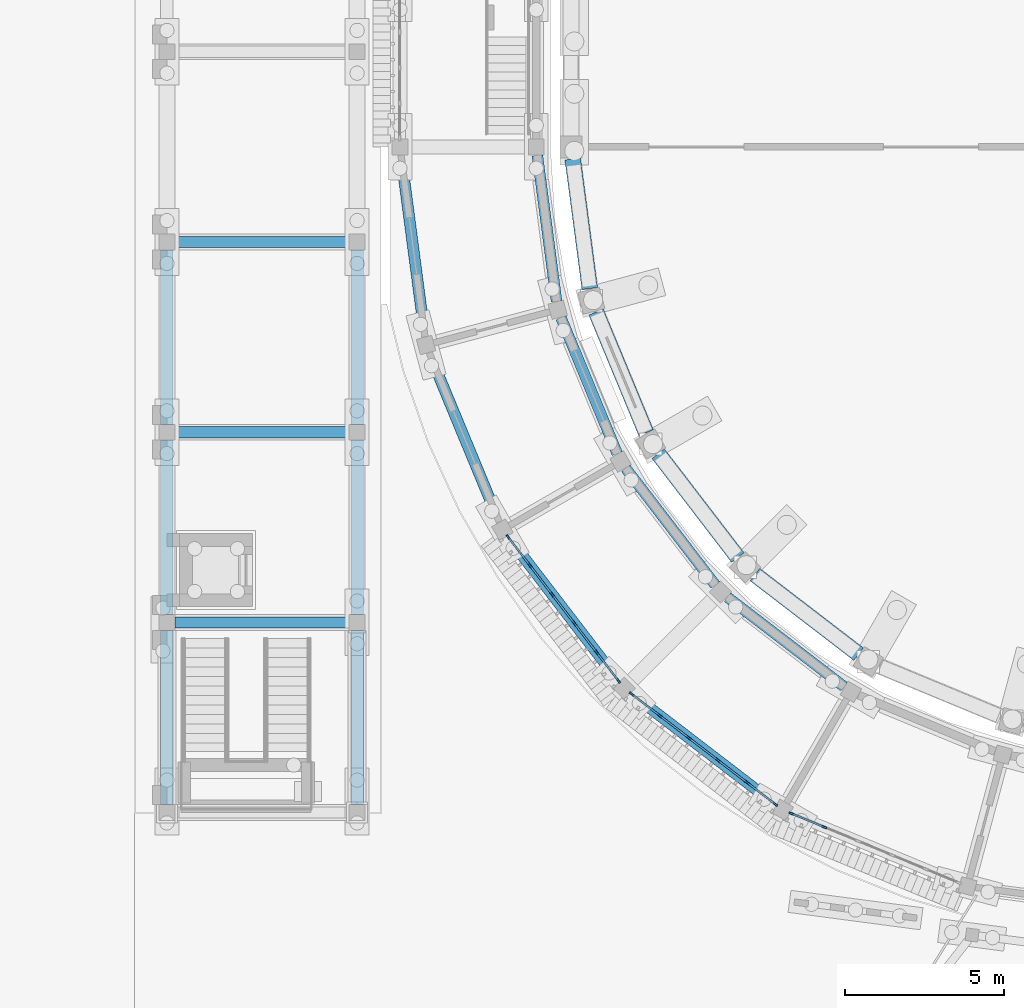
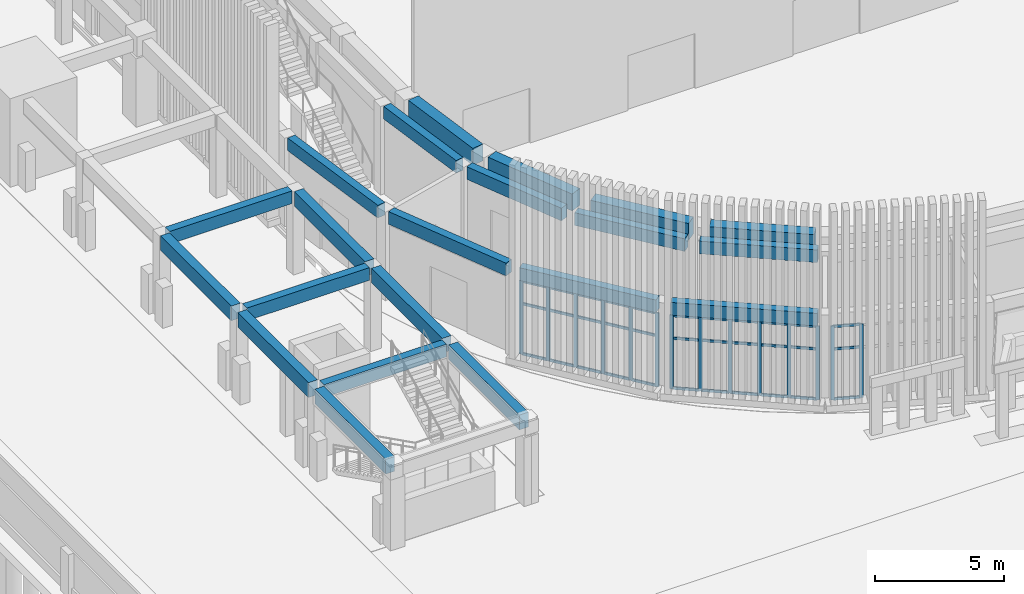
# One storey, part 15 of 112: 47 members, 21 beams, 3 elements without a shape of their own.
"""IFC4 building model written with IfcOpenShell, lengths in metres."""

from ifc_helpers import new_model, si_unit, direction, frame, origin, origin_2d, place, context, subcontext, project, spatial, rectangle, extrude, material, layer, layer_set, material_profile, profile_set, type_object, element, aggregate, save


model = new_model("IFC4")

# Units and contexts
model_context = context("Model", 3, precision=1e-05, world=origin(), true_north=direction((0.0, 1.0)))
body_context = subcontext(model_context, "Body", "Model", "MODEL_VIEW")
ifc_project = project(units=[si_unit("LENGTHUNIT", "METRE"), si_unit("AREAUNIT", "SQUARE_METRE"), si_unit("VOLUMEUNIT", "CUBIC_METRE"), si_unit("PLANEANGLEUNIT", "RADIAN"), si_unit("MASSUNIT", "GRAM", prefix="KILO")], contexts=[model_context])

# Site, building, storey
site_placement = place(None, origin())
site = spatial("IfcSite", under=ifc_project, at=site_placement, CompositionType="ELEMENT")
building_placement = place(site_placement, origin())
building = spatial("IfcBuilding", under=site, at=building_placement, Name="Wasatch Bagh Community Centre", CompositionType="ELEMENT")
storey_placement = place(building_placement, origin())
storey = spatial("IfcBuildingStorey", under=building, at=storey_placement, Name="L00", CompositionType="ELEMENT", Elevation=0.0)

# Beams
ifc_material_1 = material(Name="Concrete C35", Category="concrete")
ifc_material_profile_1 = material_profile(ifc_material_1, rectangle(XDim=0.39990234375, YDim=0.699951171875, at=origin_2d()), Name="RC 400x700")
ifc_profile_set_1 = profile_set([ifc_material_profile_1], Name="Concrete C35")
beam_type_1 = type_object("IfcBeamType", Name="CT-B1", PredefinedType="BEAM", material=ifc_profile_set_1)
for number, where, z_axis, x_axis, name in (
    (1, (4.5, 14.25, 3.60009765625), (0.0, 1.0, 0.0), (-1.0, 0.0, 0.0), "CT.beam.L00.001"),
    (2, (4.5, 20.25, 3.60009765625), (0.0, 1.0, 0.0), (-1.0, 0.0, 0.0), "CT.beam.L00.002"),
    (3, (4.5, 26.25, 3.60009765625), (0.0, 1.0, 0.0), (-1.0, 0.0, 0.0), "CT.beam.L00.003"),
    (4, (10.5, 14.25, 3.60009765625), (0.0, 1.0, 0.0), (-1.0, 0.0, 0.0), "CT.beam.L00.013"),
    (5, (10.5, 20.25, 3.60009765625), (0.0, 1.0, 0.0), (-1.0, 0.0, 0.0), "CT.beam.L00.014"),
    (6, (10.5, 26.25, 3.60009765625), (0.0, 1.0, 0.0), (-1.0, 0.0, 0.0), "CT.beam.L00.015"),
):
    element("IfcBeam", number, at=place(storey_placement, frame(where, z_axis=z_axis, x_axis=x_axis)), inside=storey, type_object=beam_type_1, Name=name, PredefinedType="BEAM", context=body_context, shape_type="SweptSolid", body=[
        extrude(rectangle(XDim=0.39990234375, YDim=0.699951171875, at=origin_2d()), origin(), (0.0, 0.0, 1.0), 5.5),
    ])
ifc_material_profile_2 = material_profile(ifc_material_1, rectangle(XDim=0.35009765625, YDim=0.60009765625, at=origin_2d()), Name="RC 350x600")
ifc_profile_set_2 = profile_set([ifc_material_profile_2], Name="Concrete C35")
beam_type_2 = type_object("IfcBeamType", Name="CT-B2", PredefinedType="BEAM", material=ifc_profile_set_2)
for number, where, z_axis, x_axis, name in (
    (7, (4.75, 20.0, 3.64990234375), (1.0, 0.0, 0.0), (0.0, 1.0, 0.0), "CT.beam.L00.X027"),
    (8, (4.75, 26.0, 3.64990234375), (1.0, 0.0, 0.0), (0.0, 1.0, 0.0), "CT.beam.L00.X028"),
    (9, (4.75, 32.0, 3.64990234375), (1.0, 0.0, 0.0), (0.0, 1.0, 0.0), "CT.beam.L00.X029"),
):
    element("IfcBeam", number, at=place(storey_placement, frame(where, z_axis=z_axis, x_axis=x_axis)), inside=storey, type_object=beam_type_2, Name=name, PredefinedType="BEAM", context=body_context, shape_type="SweptSolid", body=[
        extrude(rectangle(XDim=0.35009765625, YDim=0.60009765625, at=origin_2d()), origin(), (0.0, 0.0, 1.0), 5.5),
    ])

# Curtain wall, members
ifc_material_2 = material(Name="Aluminium curtain wall frame with low-iron insulated glass", Category="aluminium")
ifc_layer = layer(ifc_material_2, 0.14990234375)
ifc_layer_set = layer_set([ifc_layer], Name="Aluminium curtain wall frame with low-iron insulated glass")
curtain_wall_type = type_object("IfcCurtainWallType", Name="Drum curtain wall DR-CW1", PredefinedType="NOTDEFINED", material=ifc_layer_set)
curtain_wall_1_placement = place(storey_placement, origin())
curtain_wall_1 = element("IfcCurtainWall", 10, at=curtain_wall_1_placement, inside=storey, type_object=curtain_wall_type, Name="Curtain wall DR-CW1 3", PredefinedType="NOTDEFINED")
ifc_material_3 = material(Name="Aluminium curtain wall frame", Category="aluminium")
ifc_material_profile_3 = material_profile(ifc_material_3, rectangle(XDim=0.06005859375, YDim=0.159912109375, at=origin_2d()), Name="Drum mullion DR-CW1")
ifc_profile_set_3 = profile_set([ifc_material_profile_3], Name="Aluminium curtain wall frame")
member_type_1 = type_object("IfcMemberType", Name="Drum mullion DR-CW1", PredefinedType="MULLION", material=ifc_profile_set_3)
member_1_placement = place(storey_placement, frame((15.263671875, 22.69287109375, 0.0), z_axis=(0.0, 0.0, 1.0), x_axis=(0.793353340196, 0.608761429133, 0.0)))
member_1 = element("IfcMember", 11, at=member_1_placement, type_object=member_type_1, Name="DR-CW1 mullion 1", PredefinedType="MULLION", context=body_context, shape_type="SweptSolid", body=[
    extrude(rectangle(XDim=0.06005859375, YDim=0.159912109375, at=origin_2d()), origin(), (0.0, 0.0, 1.0), 3.5),
])
member_2_placement = place(storey_placement, frame((15.948974609375, 21.7998046875, 0.0), z_axis=(0.0, 0.0, 1.0), x_axis=(0.793353340196, 0.608761429133, 0.0)))
member_2 = element("IfcMember", 12, at=member_2_placement, type_object=member_type_1, Name="DR-CW1 mullion 2", PredefinedType="MULLION", context=body_context, shape_type="SweptSolid", body=[
    extrude(rectangle(XDim=0.06005859375, YDim=0.159912109375, at=origin_2d()), origin(), (0.0, 0.0, 1.0), 3.5),
])
member_3_placement = place(storey_placement, frame((16.652587890625, 20.8828125, 0.0), z_axis=(0.0, 0.0, 1.0), x_axis=(0.793353340196, 0.608761429133, 0.0)))
member_3 = element("IfcMember", 13, at=member_3_placement, type_object=member_type_1, Name="DR-CW1 mullion 3", PredefinedType="MULLION", context=body_context, shape_type="SweptSolid", body=[
    extrude(rectangle(XDim=0.06005859375, YDim=0.159912109375, at=origin_2d()), origin(), (0.0, 0.0, 1.0), 3.5),
])
member_4_placement = place(storey_placement, frame((17.356201171875, 19.965576171875, 0.0), z_axis=(0.0, 0.0, 1.0), x_axis=(0.793353340196, 0.608761429133, 0.0)))
member_4 = element("IfcMember", 14, at=member_4_placement, type_object=member_type_1, Name="DR-CW1 mullion 4", PredefinedType="MULLION", context=body_context, shape_type="SweptSolid", body=[
    extrude(rectangle(XDim=0.06005859375, YDim=0.159912109375, at=origin_2d()), origin(), (0.0, 0.0, 1.0), 3.5),
])
member_5_placement = place(storey_placement, frame((18.059814453125, 19.048583984375, 0.0), z_axis=(0.0, 0.0, 1.0), x_axis=(0.793353340196, 0.608761429133, 0.0)))
member_5 = element("IfcMember", 15, at=member_5_placement, type_object=member_type_1, Name="DR-CW1 mullion 5", PredefinedType="MULLION", context=body_context, shape_type="SweptSolid", body=[
    extrude(rectangle(XDim=0.06005859375, YDim=0.159912109375, at=origin_2d()), origin(), (0.0, 0.0, 1.0), 3.5),
])
member_6_placement = place(storey_placement, frame((18.745361328125, 18.155517578125, 0.0), z_axis=(0.0, 0.0, 1.0), x_axis=(0.793353340196, 0.608761429133, 0.0)))
member_6 = element("IfcMember", 16, at=member_6_placement, type_object=member_type_1, Name="DR-CW1 mullion 6", PredefinedType="MULLION", context=body_context, shape_type="SweptSolid", body=[
    extrude(rectangle(XDim=0.06005859375, YDim=0.159912109375, at=origin_2d()), origin(), (0.0, 0.0, 1.0), 3.5),
])

curtain_wall_2_placement = place(storey_placement, origin())
curtain_wall_2 = element("IfcCurtainWall", 17, at=curtain_wall_2_placement, inside=storey, type_object=curtain_wall_type, Name="Curtain wall DR-CW1 4", PredefinedType="NOTDEFINED")
member_7_placement = place(storey_placement, frame((19.155517578125, 17.745361328125, 0.0), z_axis=(0.0, 0.0, 1.0), x_axis=(0.608761429133, 0.793353340196, 0.0)))
member_7 = element("IfcMember", 18, at=member_7_placement, type_object=member_type_1, Name="DR-CW1 mullion 1", PredefinedType="MULLION", context=body_context, shape_type="SweptSolid", body=[
    extrude(rectangle(XDim=0.06005859375, YDim=0.159912109375, at=origin_2d()), origin(), (0.0, 0.0, 1.0), 3.5),
])
member_8_placement = place(storey_placement, frame((20.048583984375, 17.059814453125, 0.0), z_axis=(0.0, 0.0, 1.0), x_axis=(0.608761429133, 0.793353340196, 0.0)))
member_8 = element("IfcMember", 19, at=member_8_placement, type_object=member_type_1, Name="DR-CW1 mullion 2", PredefinedType="MULLION", context=body_context, shape_type="SweptSolid", body=[
    extrude(rectangle(XDim=0.06005859375, YDim=0.159912109375, at=origin_2d()), origin(), (0.0, 0.0, 1.0), 3.5),
])
member_9_placement = place(storey_placement, frame((20.965576171875, 16.356201171875, 0.0), z_axis=(0.0, 0.0, 1.0), x_axis=(0.608761429133, 0.793353340196, 0.0)))
member_9 = element("IfcMember", 20, at=member_9_placement, type_object=member_type_1, Name="DR-CW1 mullion 3", PredefinedType="MULLION", context=body_context, shape_type="SweptSolid", body=[
    extrude(rectangle(XDim=0.06005859375, YDim=0.159912109375, at=origin_2d()), origin(), (0.0, 0.0, 1.0), 3.5),
])
member_10_placement = place(storey_placement, frame((21.8828125, 15.652587890625, 0.0), z_axis=(0.0, 0.0, 1.0), x_axis=(0.608761429133, 0.793353340196, 0.0)))
member_10 = element("IfcMember", 21, at=member_10_placement, type_object=member_type_1, Name="DR-CW1 mullion 4", PredefinedType="MULLION", context=body_context, shape_type="SweptSolid", body=[
    extrude(rectangle(XDim=0.06005859375, YDim=0.159912109375, at=origin_2d()), origin(), (0.0, 0.0, 1.0), 3.5),
])
member_11_placement = place(storey_placement, frame((22.7998046875, 14.948974609375, 0.0), z_axis=(0.0, 0.0, 1.0), x_axis=(0.608761429133, 0.793353340196, 0.0)))
member_11 = element("IfcMember", 22, at=member_11_placement, type_object=member_type_1, Name="DR-CW1 mullion 5", PredefinedType="MULLION", context=body_context, shape_type="SweptSolid", body=[
    extrude(rectangle(XDim=0.06005859375, YDim=0.159912109375, at=origin_2d()), origin(), (0.0, 0.0, 1.0), 3.5),
])
member_12_placement = place(storey_placement, frame((23.69287109375, 14.263671875, 0.0), z_axis=(0.0, 0.0, 1.0), x_axis=(0.608761429133, 0.793353340196, 0.0)))
member_12 = element("IfcMember", 23, at=member_12_placement, type_object=member_type_1, Name="DR-CW1 mullion 6", PredefinedType="MULLION", context=body_context, shape_type="SweptSolid", body=[
    extrude(rectangle(XDim=0.06005859375, YDim=0.159912109375, at=origin_2d()), origin(), (0.0, 0.0, 1.0), 3.5),
])

curtain_wall_3_placement = place(storey_placement, origin())
curtain_wall_3 = element("IfcCurtainWall", 24, at=curtain_wall_3_placement, inside=storey, type_object=curtain_wall_type, Name="Curtain wall DR-CW1 5", PredefinedType="NOTDEFINED")
member_13_placement = place(storey_placement, frame((24.1953125, 13.9736328125, 0.0), z_axis=(0.0, 0.0, 1.0), x_axis=(0.38268343251, 0.923879532451, 0.0)))
member_13 = element("IfcMember", 25, at=member_13_placement, type_object=member_type_1, Name="DR-CW1 mullion 1", PredefinedType="MULLION", context=body_context, shape_type="SweptSolid", body=[
    extrude(rectangle(XDim=0.06005859375, YDim=0.159912109375, at=origin_2d()), origin(), (0.0, 0.0, 1.0), 3.5),
])
member_14_placement = place(storey_placement, frame((25.2353515625, 13.542724609375, 0.0), z_axis=(0.0, 0.0, 1.0), x_axis=(0.38268343251, 0.923879532451, 0.0)))
member_14 = element("IfcMember", 26, at=member_14_placement, type_object=member_type_1, Name="DR-CW1 mullion 2", PredefinedType="MULLION", context=body_context, shape_type="SweptSolid", body=[
    extrude(rectangle(XDim=0.06005859375, YDim=0.159912109375, at=origin_2d()), origin(), (0.0, 0.0, 1.0), 3.5),
])

# Beams
ifc_material_profile_4 = material_profile(ifc_material_1, rectangle(XDim=0.35009765625, YDim=0.60009765625, at=origin_2d()), Name="RC 350x600")
ifc_profile_set_4 = profile_set([ifc_material_profile_4], Name="Concrete C35")
beam_type_3 = type_object("IfcBeamType", Name="Drum ring beam RC 350x600", PredefinedType="BEAM", material=ifc_profile_set_4)
beam_1_placement = place(storey_placement, frame((16.18603515625, 34.7265625, 3.89990234375), z_axis=(0.130495429401, -0.99144891089, 0.0), x_axis=(0.99144891089, 0.130495429401, 0.0)))
element("IfcBeam", 27, at=beam_1_placement, inside=storey, type_object=beam_type_3, Name="Ring beam 4.2 DI-W1-DI-S1", PredefinedType="BEAM", context=body_context, shape_type="SweptSolid", body=[
    extrude(rectangle(XDim=0.35009765625, YDim=0.60009765625, at=origin_2d()), origin(), (0.0, 0.0, 1.0), 4.63037109375),
])
beam_2_placement = place(storey_placement, frame((16.931884765625, 29.607666015625, 3.89990234375), z_axis=(0.382671540178, -0.923884458327, 0.0), x_axis=(0.923884458327, 0.382671540178, 0.0)))
element("IfcBeam", 28, at=beam_2_placement, inside=storey, type_object=beam_type_3, Name="Ring beam 4.2 DI-S1-DI-S2", PredefinedType="BEAM", context=body_context, shape_type="SweptSolid", body=[
    extrude(rectangle(XDim=0.35009765625, YDim=0.60009765625, at=origin_2d()), origin(), (0.0, 0.0, 1.0), 4.630615234375),
])
for number, where, z_axis, x_axis, name in (
    (29, (18.977294921875, 24.856201171875, 3.89990234375), (0.608762451519, -0.793352555691, 0.0), (0.793352555691, 0.608762451519, 0.0), "Ring beam 4.2 DI-S2-DI-S3"),
    (30, (22.1826171875, 20.796142578125, 3.89990234375), (0.793352555691, -0.608762451519, 0.0), (0.608762451519, 0.793352555691, 0.0), "Ring beam 4.2 DI-S3-DI-S4"),
):
    element("IfcBeam", number, at=place(storey_placement, frame(where, z_axis=z_axis, x_axis=x_axis)), inside=storey, type_object=beam_type_3, Name=name, PredefinedType="BEAM", context=body_context, shape_type="SweptSolid", body=[
        extrude(rectangle(XDim=0.35009765625, YDim=0.60009765625, at=origin_2d()), origin(), (0.0, 0.0, 1.0), 4.63037109375),
    ])
beam_3_placement = place(storey_placement, frame((11.885986328125, 34.7265625, 3.89990234375), z_axis=(0.130540139759, -0.991443025046, 0.0), x_axis=(0.991443025046, 0.130540139759, 0.0)))
element("IfcBeam", 31, at=beam_3_placement, inside=storey, type_object=beam_type_3, Name="Ring beam 4.2 DO-W1-DO-S1", PredefinedType="BEAM", context=body_context, shape_type="SweptSolid", body=[
    extrude(rectangle(XDim=0.35009765625, YDim=0.60009765625, at=origin_2d()), origin(), (0.0, 0.0, 1.0), 5.7529296875),
])
beam_4_placement = place(storey_placement, frame((12.7783203125, 28.494873046875, 3.89990234375), z_axis=(0.38268910224, -0.923877183952, 0.0), x_axis=(0.923877183952, 0.38268910224, 0.0)))
element("IfcBeam", 32, at=beam_4_placement, inside=storey, type_object=beam_type_3, Name="Ring beam 4.2 DO-S1-DO-S2", PredefinedType="BEAM", context=body_context, shape_type="SweptSolid", body=[
    extrude(rectangle(XDim=0.35009765625, YDim=0.60009765625, at=origin_2d()), origin(), (0.0, 0.0, 1.0), 5.753173828125),
])
for number, where, z_axis, x_axis, name in (
    (33, (15.25341796875, 22.706298828125, 3.89990234375), (0.608756673514, -0.793356989288, 0.0), (0.793356989288, 0.608756673514, 0.0), "Ring beam 4.2 DO-S2-DO-S3"),
    (34, (19.14208984375, 17.755615234375, 3.89990234375), (0.793356989288, -0.608756673514, 0.0), (0.608756673514, 0.793356989288, 0.0), "Ring beam 4.2 DO-S3-DO-S4"),
):
    element("IfcBeam", number, at=place(storey_placement, frame(where, z_axis=z_axis, x_axis=x_axis)), inside=storey, type_object=beam_type_3, Name=name, PredefinedType="BEAM", context=body_context, shape_type="SweptSolid", body=[
        extrude(rectangle(XDim=0.35009765625, YDim=0.60009765625, at=origin_2d()), origin(), (0.0, 0.0, 1.0), 5.7529296875),
    ])

# Member
ifc_material_profile_5 = material_profile(ifc_material_3, rectangle(XDim=0.06005859375, YDim=0.1201171875, at=origin_2d()), Name="Drum transom DR-CW1")
ifc_profile_set_5 = profile_set([ifc_material_profile_5], Name="Aluminium curtain wall frame")
member_type_2 = type_object("IfcMemberType", Name="Drum transom DR-CW1", PredefinedType="USERDEFINED", material=ifc_profile_set_5)
member_15_placement = place(storey_placement, frame((15.28173828125, 22.669189453125, 0.030029296875), z_axis=(0.608758447006, -0.793355628453, 0.0), x_axis=(0.793355628453, 0.608758447006, 0.0)))
member_15 = element("IfcMember", 35, at=member_15_placement, type_object=member_type_2, Name="DR-CW1 transom 1.1", ObjectType="TRANSOM", PredefinedType="USERDEFINED", context=body_context, shape_type="SweptSolid", body=[
    extrude(rectangle(XDim=0.06005859375, YDim=0.1201171875, at=origin_2d()), origin(), (0.0, 0.0, 1.0), 1.06591796875),
])

member_16_placement = place(storey_placement, frame((15.28173828125, 22.669189453125, 2.39990234375), z_axis=(0.608758447006, -0.793355628453, 0.0), x_axis=(0.793355628453, 0.608758447006, 0.0)))
member_16 = element("IfcMember", 36, at=member_16_placement, type_object=member_type_2, Name="DR-CW1 transom 1.2", ObjectType="TRANSOM", PredefinedType="USERDEFINED", context=body_context, shape_type="SweptSolid", body=[
    extrude(rectangle(XDim=0.06005859375, YDim=0.1201171875, at=origin_2d()), origin(), (0.0, 0.0, 1.0), 1.06591796875),
])

member_17_placement = place(storey_placement, frame((15.28173828125, 22.669189453125, 3.469970703125), z_axis=(0.608758447006, -0.793355628453, 0.0), x_axis=(0.793355628453, 0.608758447006, 0.0)))
member_17 = element("IfcMember", 37, at=member_17_placement, type_object=member_type_2, Name="DR-CW1 transom 1.3", ObjectType="TRANSOM", PredefinedType="USERDEFINED", context=body_context, shape_type="SweptSolid", body=[
    extrude(rectangle(XDim=0.06005859375, YDim=0.1201171875, at=origin_2d()), origin(), (0.0, 0.0, 1.0), 1.06591796875),
])

member_18_placement = place(storey_placement, frame((15.96728515625, 21.77587890625, 0.030029296875), z_axis=(0.608698124672, -0.793401911405, 0.0), x_axis=(0.793401911405, 0.608698124672, 0.0)))
member_18 = element("IfcMember", 38, at=member_18_placement, type_object=member_type_2, Name="DR-CW1 transom 2.1", ObjectType="TRANSOM", PredefinedType="USERDEFINED", context=body_context, shape_type="SweptSolid", body=[
    extrude(rectangle(XDim=0.06005859375, YDim=0.1201171875, at=origin_2d()), origin(), (0.0, 0.0, 1.0), 1.095703125),
])

member_19_placement = place(storey_placement, frame((15.96728515625, 21.77587890625, 2.39990234375), z_axis=(0.608698124672, -0.793401911405, 0.0), x_axis=(0.793401911405, 0.608698124672, 0.0)))
member_19 = element("IfcMember", 39, at=member_19_placement, type_object=member_type_2, Name="DR-CW1 transom 2.2", ObjectType="TRANSOM", PredefinedType="USERDEFINED", context=body_context, shape_type="SweptSolid", body=[
    extrude(rectangle(XDim=0.06005859375, YDim=0.1201171875, at=origin_2d()), origin(), (0.0, 0.0, 1.0), 1.095703125),
])

member_20_placement = place(storey_placement, frame((15.96728515625, 21.77587890625, 3.469970703125), z_axis=(0.608698124672, -0.793401911405, 0.0), x_axis=(0.793401911405, 0.608698124672, 0.0)))
member_20 = element("IfcMember", 40, at=member_20_placement, type_object=member_type_2, Name="DR-CW1 transom 2.3", ObjectType="TRANSOM", PredefinedType="USERDEFINED", context=body_context, shape_type="SweptSolid", body=[
    extrude(rectangle(XDim=0.06005859375, YDim=0.1201171875, at=origin_2d()), origin(), (0.0, 0.0, 1.0), 1.095703125),
])

member_21_placement = place(storey_placement, frame((16.6708984375, 20.85888671875, 0.030029296875), z_axis=(0.608698124672, -0.793401911405, 0.0), x_axis=(0.793401911405, 0.608698124672, 0.0)))
member_21 = element("IfcMember", 41, at=member_21_placement, type_object=member_type_2, Name="DR-CW1 transom 3.1", ObjectType="TRANSOM", PredefinedType="USERDEFINED", context=body_context, shape_type="SweptSolid", body=[
    extrude(rectangle(XDim=0.06005859375, YDim=0.1201171875, at=origin_2d()), origin(), (0.0, 0.0, 1.0), 1.095703125),
])

member_22_placement = place(storey_placement, frame((16.6708984375, 20.85888671875, 2.39990234375), z_axis=(0.608698124672, -0.793401911405, 0.0), x_axis=(0.793401911405, 0.608698124672, 0.0)))
member_22 = element("IfcMember", 42, at=member_22_placement, type_object=member_type_2, Name="DR-CW1 transom 3.2", ObjectType="TRANSOM", PredefinedType="USERDEFINED", context=body_context, shape_type="SweptSolid", body=[
    extrude(rectangle(XDim=0.06005859375, YDim=0.1201171875, at=origin_2d()), origin(), (0.0, 0.0, 1.0), 1.095703125),
])

member_23_placement = place(storey_placement, frame((16.6708984375, 20.85888671875, 3.469970703125), z_axis=(0.608698124672, -0.793401911405, 0.0), x_axis=(0.793401911405, 0.608698124672, 0.0)))
member_23 = element("IfcMember", 43, at=member_23_placement, type_object=member_type_2, Name="DR-CW1 transom 3.3", ObjectType="TRANSOM", PredefinedType="USERDEFINED", context=body_context, shape_type="SweptSolid", body=[
    extrude(rectangle(XDim=0.06005859375, YDim=0.1201171875, at=origin_2d()), origin(), (0.0, 0.0, 1.0), 1.095703125),
])

member_24_placement = place(storey_placement, frame((17.37451171875, 19.94189453125, 0.030029296875), z_axis=(0.608838347721, -0.793294312563, 0.0), x_axis=(0.793294312563, 0.608838347721, 0.0)))
member_24 = element("IfcMember", 44, at=member_24_placement, type_object=member_type_2, Name="DR-CW1 transom 4.1", ObjectType="TRANSOM", PredefinedType="USERDEFINED", context=body_context, shape_type="SweptSolid", body=[
    extrude(rectangle(XDim=0.06005859375, YDim=0.1201171875, at=origin_2d()), origin(), (0.0, 0.0, 1.0), 1.095947265625),
])

member_25_placement = place(storey_placement, frame((17.37451171875, 19.94189453125, 2.39990234375), z_axis=(0.608838347721, -0.793294312563, 0.0), x_axis=(0.793294312563, 0.608838347721, 0.0)))
member_25 = element("IfcMember", 45, at=member_25_placement, type_object=member_type_2, Name="DR-CW1 transom 4.2", ObjectType="TRANSOM", PredefinedType="USERDEFINED", context=body_context, shape_type="SweptSolid", body=[
    extrude(rectangle(XDim=0.06005859375, YDim=0.1201171875, at=origin_2d()), origin(), (0.0, 0.0, 1.0), 1.095947265625),
])

member_26_placement = place(storey_placement, frame((17.37451171875, 19.94189453125, 3.469970703125), z_axis=(0.608838347721, -0.793294312563, 0.0), x_axis=(0.793294312563, 0.608838347721, 0.0)))
member_26 = element("IfcMember", 46, at=member_26_placement, type_object=member_type_2, Name="DR-CW1 transom 4.3", ObjectType="TRANSOM", PredefinedType="USERDEFINED", context=body_context, shape_type="SweptSolid", body=[
    extrude(rectangle(XDim=0.06005859375, YDim=0.1201171875, at=origin_2d()), origin(), (0.0, 0.0, 1.0), 1.095947265625),
])

member_27_placement = place(storey_placement, frame((18.078125, 19.02490234375, 0.030029296875), z_axis=(0.608758447006, -0.793355628453, 0.0), x_axis=(0.793355628453, 0.608758447006, 0.0)))
member_27 = element("IfcMember", 47, at=member_27_placement, type_object=member_type_2, Name="DR-CW1 transom 5.1", ObjectType="TRANSOM", PredefinedType="USERDEFINED", context=body_context, shape_type="SweptSolid", body=[
    extrude(rectangle(XDim=0.06005859375, YDim=0.1201171875, at=origin_2d()), origin(), (0.0, 0.0, 1.0), 1.06591796875),
])

member_28_placement = place(storey_placement, frame((18.078125, 19.02490234375, 2.39990234375), z_axis=(0.608758447006, -0.793355628453, 0.0), x_axis=(0.793355628453, 0.608758447006, 0.0)))
member_28 = element("IfcMember", 48, at=member_28_placement, type_object=member_type_2, Name="DR-CW1 transom 5.2", ObjectType="TRANSOM", PredefinedType="USERDEFINED", context=body_context, shape_type="SweptSolid", body=[
    extrude(rectangle(XDim=0.06005859375, YDim=0.1201171875, at=origin_2d()), origin(), (0.0, 0.0, 1.0), 1.06591796875),
])

member_29_placement = place(storey_placement, frame((18.078125, 19.02490234375, 3.469970703125), z_axis=(0.608758447006, -0.793355628453, 0.0), x_axis=(0.793355628453, 0.608758447006, 0.0)))
member_29 = element("IfcMember", 49, at=member_29_placement, type_object=member_type_2, Name="DR-CW1 transom 5.3", ObjectType="TRANSOM", PredefinedType="USERDEFINED", context=body_context, shape_type="SweptSolid", body=[
    extrude(rectangle(XDim=0.06005859375, YDim=0.1201171875, at=origin_2d()), origin(), (0.0, 0.0, 1.0), 1.06591796875),
])

aggregate(curtain_wall_1, [member_1, member_2, member_3, member_4, member_5, member_6, member_15, member_16, member_17, member_18, member_19, member_20, member_21, member_22, member_23, member_24, member_25, member_26, member_27, member_28, member_29])

member_30_placement = place(storey_placement, frame((19.17919921875, 17.72705078125, 0.030029296875), z_axis=(0.793355628453, -0.608758447006, 0.0), x_axis=(0.608758447006, 0.793355628453, 0.0)))
member_30 = element("IfcMember", 50, at=member_30_placement, type_object=member_type_2, Name="DR-CW1 transom 1.1", ObjectType="TRANSOM", PredefinedType="USERDEFINED", context=body_context, shape_type="SweptSolid", body=[
    extrude(rectangle(XDim=0.06005859375, YDim=0.1201171875, at=origin_2d()), origin(), (0.0, 0.0, 1.0), 1.06591796875),
])

member_31_placement = place(storey_placement, frame((19.17919921875, 17.72705078125, 2.39990234375), z_axis=(0.793355628453, -0.608758447006, 0.0), x_axis=(0.608758447006, 0.793355628453, 0.0)))
member_31 = element("IfcMember", 51, at=member_31_placement, type_object=member_type_2, Name="DR-CW1 transom 1.2", ObjectType="TRANSOM", PredefinedType="USERDEFINED", context=body_context, shape_type="SweptSolid", body=[
    extrude(rectangle(XDim=0.06005859375, YDim=0.1201171875, at=origin_2d()), origin(), (0.0, 0.0, 1.0), 1.06591796875),
])

member_32_placement = place(storey_placement, frame((19.17919921875, 17.72705078125, 3.469970703125), z_axis=(0.793355628453, -0.608758447006, 0.0), x_axis=(0.608758447006, 0.793355628453, 0.0)))
member_32 = element("IfcMember", 52, at=member_32_placement, type_object=member_type_2, Name="DR-CW1 transom 1.3", ObjectType="TRANSOM", PredefinedType="USERDEFINED", context=body_context, shape_type="SweptSolid", body=[
    extrude(rectangle(XDim=0.06005859375, YDim=0.1201171875, at=origin_2d()), origin(), (0.0, 0.0, 1.0), 1.06591796875),
])

member_33_placement = place(storey_placement, frame((20.072509765625, 17.041748046875, 0.030029296875), z_axis=(0.793294312563, -0.608838347721, 0.0), x_axis=(0.608838347721, 0.793294312563, 0.0)))
member_33 = element("IfcMember", 53, at=member_33_placement, type_object=member_type_2, Name="DR-CW1 transom 2.1", ObjectType="TRANSOM", PredefinedType="USERDEFINED", context=body_context, shape_type="SweptSolid", body=[
    extrude(rectangle(XDim=0.06005859375, YDim=0.1201171875, at=origin_2d()), origin(), (0.0, 0.0, 1.0), 1.095947265625),
])

member_34_placement = place(storey_placement, frame((20.072509765625, 17.041748046875, 2.39990234375), z_axis=(0.793294312563, -0.608838347721, 0.0), x_axis=(0.608838347721, 0.793294312563, 0.0)))
member_34 = element("IfcMember", 54, at=member_34_placement, type_object=member_type_2, Name="DR-CW1 transom 2.2", ObjectType="TRANSOM", PredefinedType="USERDEFINED", context=body_context, shape_type="SweptSolid", body=[
    extrude(rectangle(XDim=0.06005859375, YDim=0.1201171875, at=origin_2d()), origin(), (0.0, 0.0, 1.0), 1.095947265625),
])

member_35_placement = place(storey_placement, frame((20.072509765625, 17.041748046875, 3.469970703125), z_axis=(0.793294312563, -0.608838347721, 0.0), x_axis=(0.608838347721, 0.793294312563, 0.0)))
member_35 = element("IfcMember", 55, at=member_35_placement, type_object=member_type_2, Name="DR-CW1 transom 2.3", ObjectType="TRANSOM", PredefinedType="USERDEFINED", context=body_context, shape_type="SweptSolid", body=[
    extrude(rectangle(XDim=0.06005859375, YDim=0.1201171875, at=origin_2d()), origin(), (0.0, 0.0, 1.0), 1.095947265625),
])

member_36_placement = place(storey_placement, frame((20.989501953125, 16.337890625, 0.030029296875), z_axis=(0.793401911405, -0.608698124672, 0.0), x_axis=(0.608698124672, 0.793401911405, 0.0)))
member_36 = element("IfcMember", 56, at=member_36_placement, type_object=member_type_2, Name="DR-CW1 transom 3.1", ObjectType="TRANSOM", PredefinedType="USERDEFINED", context=body_context, shape_type="SweptSolid", body=[
    extrude(rectangle(XDim=0.06005859375, YDim=0.1201171875, at=origin_2d()), origin(), (0.0, 0.0, 1.0), 1.095703125),
])

member_37_placement = place(storey_placement, frame((20.989501953125, 16.337890625, 2.39990234375), z_axis=(0.793401911405, -0.608698124672, 0.0), x_axis=(0.608698124672, 0.793401911405, 0.0)))
member_37 = element("IfcMember", 57, at=member_37_placement, type_object=member_type_2, Name="DR-CW1 transom 3.2", ObjectType="TRANSOM", PredefinedType="USERDEFINED", context=body_context, shape_type="SweptSolid", body=[
    extrude(rectangle(XDim=0.06005859375, YDim=0.1201171875, at=origin_2d()), origin(), (0.0, 0.0, 1.0), 1.095703125),
])

member_38_placement = place(storey_placement, frame((20.989501953125, 16.337890625, 3.469970703125), z_axis=(0.793401911405, -0.608698124672, 0.0), x_axis=(0.608698124672, 0.793401911405, 0.0)))
member_38 = element("IfcMember", 58, at=member_38_placement, type_object=member_type_2, Name="DR-CW1 transom 3.3", ObjectType="TRANSOM", PredefinedType="USERDEFINED", context=body_context, shape_type="SweptSolid", body=[
    extrude(rectangle(XDim=0.06005859375, YDim=0.1201171875, at=origin_2d()), origin(), (0.0, 0.0, 1.0), 1.095703125),
])

member_39_placement = place(storey_placement, frame((21.906494140625, 15.63427734375, 0.030029296875), z_axis=(0.793401911405, -0.608698124672, 0.0), x_axis=(0.608698124672, 0.793401911405, 0.0)))
member_39 = element("IfcMember", 59, at=member_39_placement, type_object=member_type_2, Name="DR-CW1 transom 4.1", ObjectType="TRANSOM", PredefinedType="USERDEFINED", context=body_context, shape_type="SweptSolid", body=[
    extrude(rectangle(XDim=0.06005859375, YDim=0.1201171875, at=origin_2d()), origin(), (0.0, 0.0, 1.0), 1.095703125),
])

member_40_placement = place(storey_placement, frame((21.906494140625, 15.63427734375, 2.39990234375), z_axis=(0.793401911405, -0.608698124672, 0.0), x_axis=(0.608698124672, 0.793401911405, 0.0)))
member_40 = element("IfcMember", 60, at=member_40_placement, type_object=member_type_2, Name="DR-CW1 transom 4.2", ObjectType="TRANSOM", PredefinedType="USERDEFINED", context=body_context, shape_type="SweptSolid", body=[
    extrude(rectangle(XDim=0.06005859375, YDim=0.1201171875, at=origin_2d()), origin(), (0.0, 0.0, 1.0), 1.095703125),
])

member_41_placement = place(storey_placement, frame((21.906494140625, 15.63427734375, 3.469970703125), z_axis=(0.793401911405, -0.608698124672, 0.0), x_axis=(0.608698124672, 0.793401911405, 0.0)))
member_41 = element("IfcMember", 61, at=member_41_placement, type_object=member_type_2, Name="DR-CW1 transom 4.3", ObjectType="TRANSOM", PredefinedType="USERDEFINED", context=body_context, shape_type="SweptSolid", body=[
    extrude(rectangle(XDim=0.06005859375, YDim=0.1201171875, at=origin_2d()), origin(), (0.0, 0.0, 1.0), 1.095703125),
])

member_42_placement = place(storey_placement, frame((22.823486328125, 14.9306640625, 0.030029296875), z_axis=(0.793355628453, -0.608758447006, 0.0), x_axis=(0.608758447006, 0.793355628453, 0.0)))
member_42 = element("IfcMember", 62, at=member_42_placement, type_object=member_type_2, Name="DR-CW1 transom 5.1", ObjectType="TRANSOM", PredefinedType="USERDEFINED", context=body_context, shape_type="SweptSolid", body=[
    extrude(rectangle(XDim=0.06005859375, YDim=0.1201171875, at=origin_2d()), origin(), (0.0, 0.0, 1.0), 1.06591796875),
])

member_43_placement = place(storey_placement, frame((22.823486328125, 14.9306640625, 2.39990234375), z_axis=(0.793355628453, -0.608758447006, 0.0), x_axis=(0.608758447006, 0.793355628453, 0.0)))
member_43 = element("IfcMember", 63, at=member_43_placement, type_object=member_type_2, Name="DR-CW1 transom 5.2", ObjectType="TRANSOM", PredefinedType="USERDEFINED", context=body_context, shape_type="SweptSolid", body=[
    extrude(rectangle(XDim=0.06005859375, YDim=0.1201171875, at=origin_2d()), origin(), (0.0, 0.0, 1.0), 1.06591796875),
])

member_44_placement = place(storey_placement, frame((22.823486328125, 14.9306640625, 3.469970703125), z_axis=(0.793355628453, -0.608758447006, 0.0), x_axis=(0.608758447006, 0.793355628453, 0.0)))
member_44 = element("IfcMember", 64, at=member_44_placement, type_object=member_type_2, Name="DR-CW1 transom 5.3", ObjectType="TRANSOM", PredefinedType="USERDEFINED", context=body_context, shape_type="SweptSolid", body=[
    extrude(rectangle(XDim=0.06005859375, YDim=0.1201171875, at=origin_2d()), origin(), (0.0, 0.0, 1.0), 1.06591796875),
])

aggregate(curtain_wall_2, [member_7, member_8, member_9, member_10, member_11, member_12, member_30, member_31, member_32, member_33, member_34, member_35, member_36, member_37, member_38, member_39, member_40, member_41, member_42, member_43, member_44])

member_45_placement = place(storey_placement, frame((24.222900390625, 13.962158203125, 0.030029296875), z_axis=(0.923874472572, -0.38269564791, 0.0), x_axis=(0.38269564791, 0.923874472572, 0.0)))
member_45 = element("IfcMember", 65, at=member_45_placement, type_object=member_type_2, Name="DR-CW1 transom 1.1", ObjectType="TRANSOM", PredefinedType="USERDEFINED", context=body_context, shape_type="SweptSolid", body=[
    extrude(rectangle(XDim=0.06005859375, YDim=0.1201171875, at=origin_2d()), origin(), (0.0, 0.0, 1.0), 1.06591796875),
])

member_46_placement = place(storey_placement, frame((24.222900390625, 13.962158203125, 2.39990234375), z_axis=(0.923874472572, -0.38269564791, 0.0), x_axis=(0.38269564791, 0.923874472572, 0.0)))
member_46 = element("IfcMember", 66, at=member_46_placement, type_object=member_type_2, Name="DR-CW1 transom 1.2", ObjectType="TRANSOM", PredefinedType="USERDEFINED", context=body_context, shape_type="SweptSolid", body=[
    extrude(rectangle(XDim=0.06005859375, YDim=0.1201171875, at=origin_2d()), origin(), (0.0, 0.0, 1.0), 1.06591796875),
])

member_47_placement = place(storey_placement, frame((24.222900390625, 13.962158203125, 3.469970703125), z_axis=(0.923874472572, -0.38269564791, 0.0), x_axis=(0.38269564791, 0.923874472572, 0.0)))
member_47 = element("IfcMember", 67, at=member_47_placement, type_object=member_type_2, Name="DR-CW1 transom 1.3", ObjectType="TRANSOM", PredefinedType="USERDEFINED", context=body_context, shape_type="SweptSolid", body=[
    extrude(rectangle(XDim=0.06005859375, YDim=0.1201171875, at=origin_2d()), origin(), (0.0, 0.0, 1.0), 1.06591796875),
])

aggregate(curtain_wall_3, [member_13, member_14, member_45, member_46, member_47])

# Beams
ifc_material_profile_6 = material_profile(ifc_material_1, rectangle(XDim=0.5, YDim=0.800048828125, at=origin_2d()), Name="RC 500x800")
ifc_profile_set_6 = profile_set([ifc_material_profile_6], Name="Concrete C35")
beam_type_4 = type_object("IfcBeamType", Name="MH ring beam RC 500x800", PredefinedType="BEAM", material=ifc_profile_set_6)
for number, where, z_axis, x_axis, name in (
    (68, (17.300537109375, 34.616943359375, 3.800048828125), (0.130483623501, -0.991450464722, 0.0), (0.991450464722, 0.130483623501, 0.0), "Ring beam 4.2 W1-S1"),
    (69, (18.036865234375, 29.7900390625, 3.800048828125), (0.382688328955, -0.923877504262, 0.0), (0.923877504262, 0.382688328955, 0.0), "Ring beam 4.2 S1-S2"),
    (70, (19.997314453125, 25.318359375, 3.800048828125), (0.60877717335, -0.793341258985, 0.0), (0.793341258985, 0.60877717335, 0.0), "Ring beam 4.2 S2-S3"),
    (71, (23.04833984375, 21.506591796875, 3.800048828125), (0.793341258985, -0.60877717335, 0.0), (0.60877717335, 0.793341258985, 0.0), "Ring beam 4.2 S3-S4"),
):
    element("IfcBeam", number, at=place(storey_placement, frame(where, z_axis=z_axis, x_axis=x_axis)), inside=storey, type_object=beam_type_4, Name=name, PredefinedType="BEAM", context=body_context, shape_type="SweptSolid", body=[
        extrude(rectangle(XDim=0.5, YDim=0.800048828125, at=origin_2d()), origin(), (0.0, 0.0, 1.0), 4.121826171875),
    ])

save(model, "model.ifc")
